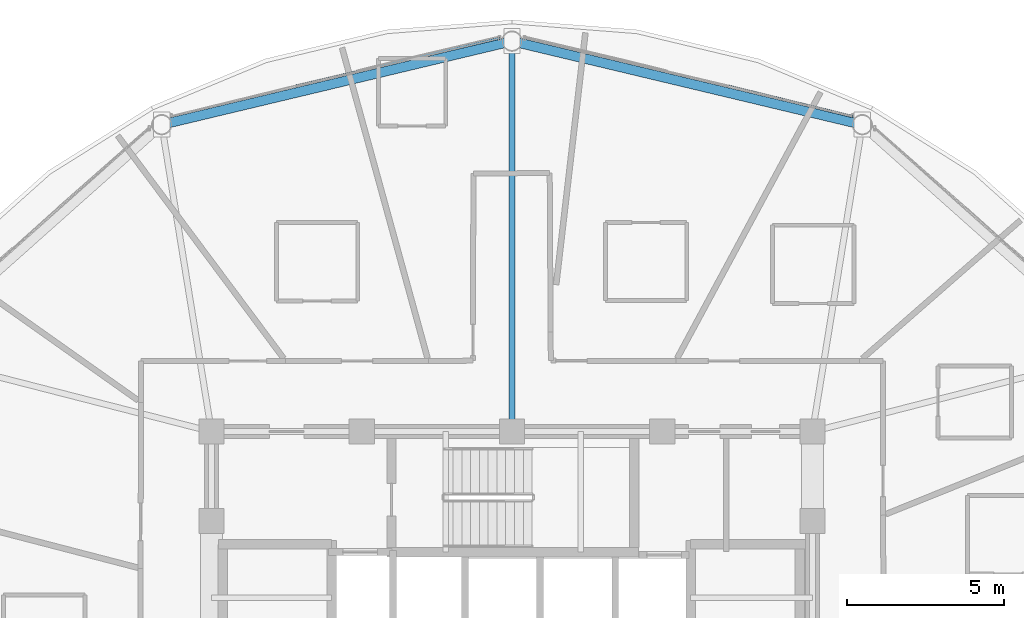
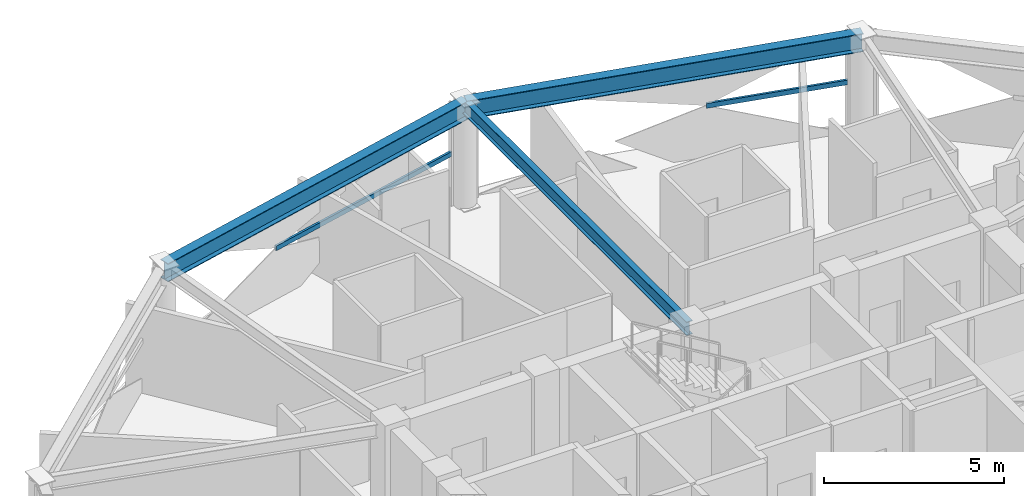
# One storey, part 18 of 30: 3 beams, 2 members, 2 elements without a shape of their own.
"""IFC4 building model written with IfcOpenShell, lengths in metres."""

from ifc_helpers import new_model, si_unit, direction, frame, origin, origin_2d, place, context, subcontext, project, spatial, hollow_rectangle, i_section, extrude, material, layer, layer_set, material_profile, profile_set, type_object, element, aggregate, save


model = new_model("IFC4")

# Units and contexts
model_context = context("Model", 3, precision=1e-05, world=origin(), true_north=direction((0.0, 1.0)))
body_context = subcontext(model_context, "Body", "Model", "MODEL_VIEW")
ifc_project = project(units=[si_unit("LENGTHUNIT", "METRE"), si_unit("AREAUNIT", "SQUARE_METRE"), si_unit("VOLUMEUNIT", "CUBIC_METRE"), si_unit("PLANEANGLEUNIT", "RADIAN"), si_unit("MASSUNIT", "GRAM", prefix="KILO")], contexts=[model_context])

# Site, building, storey
site_placement = place(None, origin())
site = spatial("IfcSite", under=ifc_project, at=site_placement, CompositionType="ELEMENT")
building_placement = place(site_placement, origin())
building = spatial("IfcBuilding", under=site, at=building_placement, Name="Vantalir Tower", CompositionType="ELEMENT")
storey_placement = place(building_placement, frame((0.0, 0.0, 201.14990234375)))
storey = spatial("IfcBuildingStorey", under=building, at=storey_placement, Name="L50", CompositionType="ELEMENT", Elevation=201.14990234375)

# Beams
ifc_material_1 = material(Name="Steel S355", Category="steel")
ifc_material_profile_1 = material_profile(ifc_material_1, i_section(OverallWidth=0.19189453125, OverallDepth=0.462890625, WebThickness=0.010498046875, FlangeThickness=0.017578125, at=origin_2d()), Name="Steel S355")
ifc_profile_set_1 = profile_set([ifc_material_profile_1], Name="Steel S355")
beam_type_1 = type_object("IfcBeamType", Name="BM-RB-457x191", PredefinedType="BEAM", material=ifc_profile_set_1)
beam_placement = place(storey_placement, frame((31.5, 44.925048828125, 3.338134765625), z_axis=(0.0, -1.0, 0.0), x_axis=(1.0, 0.0, 0.0)))
element("IfcBeam", 1, at=beam_placement, inside=storey, type_object=beam_type_1, Name="L50 Radial Floor Beam 04", PredefinedType="BEAM", context=body_context, shape_type="SweptSolid", body=[
    extrude(i_section(OverallWidth=0.19189453125, OverallDepth=0.462890625, WebThickness=0.010498046875, FlangeThickness=0.017578125, at=origin_2d()), origin(), (0.0, 0.0, 1.0), 12.47509765625),
])
ifc_material_2 = material(Name="Steel S460", Category="steel")
ifc_material_profile_2 = material_profile(ifc_material_2, i_section(OverallWidth=0.306884765625, OverallDepth=0.6201171875, WebThickness=0.01416015625, FlangeThickness=0.023681640625, at=origin_2d()), Name="Steel S460")
ifc_profile_set_2 = profile_set([ifc_material_profile_2], Name="Steel S460")
beam_type_2 = type_object("IfcBeamType", Name="BM-RG-610x305", PredefinedType="USERDEFINED", material=ifc_profile_set_2)
for number, where, z_axis, x_axis, name in (
    (2, (42.69091796875, 42.256103515625, 3.260009765625), (-0.972719168126, 0.231985818447, 0.0), (-0.231985818447, -0.972719168126, 0.0), "L50 Circumferential Ring Girder 03"),
    (3, (31.5, 44.925048828125, 3.260009765625), (-0.972719168126, -0.231985818447, 0.0), (0.231985818447, -0.972719168126, 0.0), "L50 Circumferential Ring Girder 04"),
):
    element("IfcBeam", number, at=place(storey_placement, frame(where, z_axis=z_axis, x_axis=x_axis)), inside=storey, type_object=beam_type_2, Name=name, ObjectType="GIRDER", PredefinedType="USERDEFINED", context=body_context, shape_type="SweptSolid", body=[
        extrude(i_section(OverallWidth=0.306884765625, OverallDepth=0.6201171875, WebThickness=0.01416015625, FlangeThickness=0.023681640625, at=origin_2d()), origin(), (0.0, 0.0, 1.0), 11.5048828125),
    ])

# Curtain wall, member
ifc_material_3 = material(Name="Champagne-silver PVDF aluminium and double-silver Low-E glass", Category="aluminium")
ifc_layer = layer(ifc_material_3, 0.2099609375)
ifc_layer_set = layer_set([ifc_layer], Name="Champagne-silver PVDF aluminium and double-silver Low-E glass")
curtain_wall_type = type_object("IfcCurtainWallType", Name="CW-DIAMOND-Z3", PredefinedType="USERDEFINED", material=ifc_layer_set)
curtain_wall_1_placement = place(storey_placement, origin())
curtain_wall_1 = element("IfcCurtainWall", 4, at=curtain_wall_1_placement, inside=storey, type_object=curtain_wall_type, Name="L50 Quilted Pyramid-Diamond Curtain Wall S03", ObjectType="UNITISED CURTAIN WALL", PredefinedType="USERDEFINED")
ifc_material_4 = material(Name="Champagne-silver PVDF aluminium 6063-T6", Category="aluminium")
ifc_material_profile_3 = material_profile(ifc_material_4, hollow_rectangle(XDim=0.074951171875, YDim=0.159912109375, WallThickness=0.00390625, at=origin_2d()), Name="Champagne-silver PVDF aluminium 6063-T6")
ifc_profile_set_3 = profile_set([ifc_material_profile_3], Name="Champagne-silver PVDF aluminium 6063-T6")
member_type = type_object("IfcMemberType", Name="CWT-160x75", PredefinedType="USERDEFINED", material=ifc_profile_set_3)
member_1_placement = place(storey_placement, frame((42.386962890625, 42.514892578125, 1.78515625), z_axis=(-0.971288876857, 0.237903168733, 0.0), x_axis=(-0.237903168733, -0.971288876857, 0.0)))
member_1 = element("IfcMember", 5, at=member_1_placement, type_object=member_type, Name="CW-L50-S03 Pyramid Fold Ridge Transom", ObjectType="TRANSOM", PredefinedType="USERDEFINED", context=body_context, shape_type="SweptSolid", body=[
    extrude(hollow_rectangle(XDim=0.074951171875, YDim=0.159912109375, WallThickness=0.00390625, at=origin_2d()), origin(), (0.0, 0.0, 1.0), 4.0947265625),
])
aggregate(curtain_wall_1, [member_1])

curtain_wall_2_placement = place(storey_placement, origin())
curtain_wall_2 = element("IfcCurtainWall", 6, at=curtain_wall_2_placement, inside=storey, type_object=curtain_wall_type, Name="L50 Quilted Pyramid-Diamond Curtain Wall S04", ObjectType="UNITISED CURTAIN WALL", PredefinedType="USERDEFINED")
member_2_placement = place(storey_placement, frame((31.10107421875, 45.02001953125, 1.78515625), z_axis=(-0.973450188795, -0.228898951364, 0.0), x_axis=(0.228898951364, -0.973450188795, 0.0)))
member_2 = element("IfcMember", 7, at=member_2_placement, type_object=member_type, Name="CW-L50-S04 Pyramid Fold Ridge Transom", ObjectType="TRANSOM", PredefinedType="USERDEFINED", context=body_context, shape_type="SweptSolid", body=[
    extrude(hollow_rectangle(XDim=0.074951171875, YDim=0.159912109375, WallThickness=0.00390625, at=origin_2d()), origin(), (0.0, 0.0, 1.0), 6.6884765625),
])
aggregate(curtain_wall_2, [member_2])

save(model, "model.ifc")
